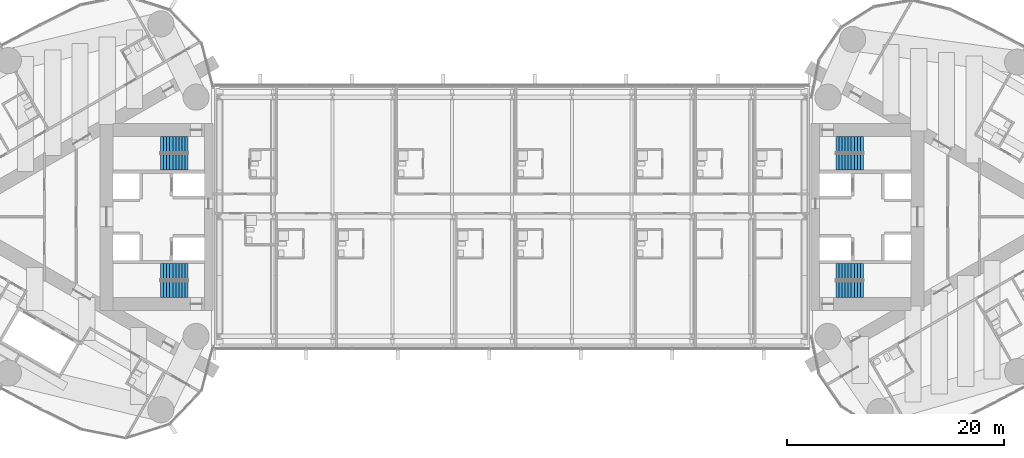
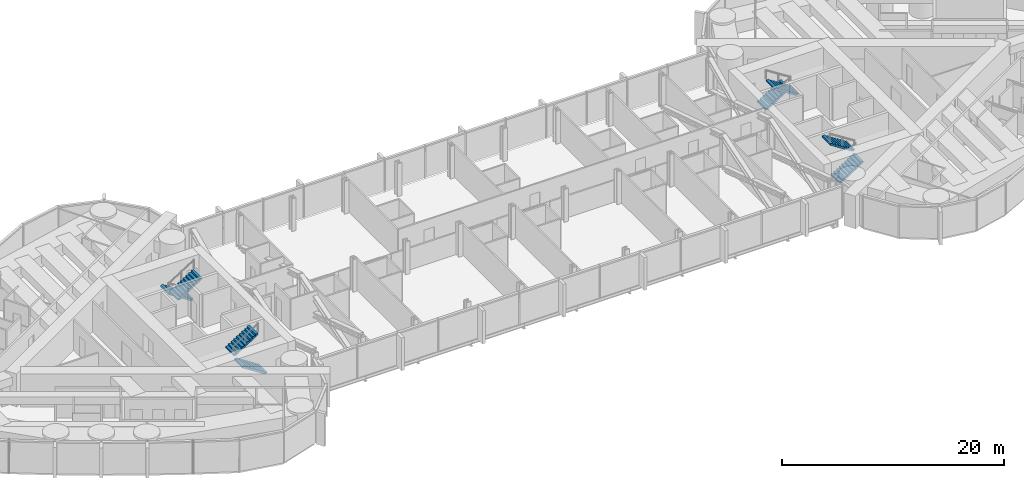
# One storey, part 21 of 23: 8 stair flights, 4 elements without a shape of their own.
"""IFC4 building model written with IfcOpenShell, lengths in metres."""

from ifc_helpers import new_model, si_unit, direction, frame, origin, place, context, subcontext, project, spatial, polyline, outline, extrude, material, type_object, element, aggregate, save


model = new_model("IFC4")

# Units and contexts
model_context = context("Model", 3, precision=1e-05, world=origin(), true_north=direction((0.0, 1.0)))
body_context = subcontext(model_context, "Body", "Model", "MODEL_VIEW")
ifc_project = project(units=[si_unit("LENGTHUNIT", "METRE"), si_unit("AREAUNIT", "SQUARE_METRE"), si_unit("VOLUMEUNIT", "CUBIC_METRE"), si_unit("PLANEANGLEUNIT", "RADIAN"), si_unit("MASSUNIT", "GRAM", prefix="KILO")], contexts=[model_context])

# Site, building, storey
site_placement = place(None, origin())
site = spatial("IfcSite", under=ifc_project, at=site_placement, CompositionType="ELEMENT")
building_placement = place(site_placement, origin())
building = spatial("IfcBuilding", under=site, at=building_placement, Name="Lancet Gate Hotel", CompositionType="ELEMENT")
storey_placement = place(building_placement, frame((0.0, 0.0, 240.5)))
storey = spatial("IfcBuildingStorey", under=building, at=storey_placement, Name="L64", CompositionType="ELEMENT", Elevation=240.5)

# Stair, stair flights
ifc_material_1 = material(Name="Exit stair 20 risers 1500")
stair_type = type_object("IfcStairType", Name="Exit stair 20 risers 1500", PredefinedType="HALF_TURN_STAIR", material=ifc_material_1)
stair_1_placement = place(storey_placement, origin())
stair_1 = element("IfcStair", 1, at=stair_1_placement, inside=storey, type_object=stair_type, Name="T1 stair 1 L64", PredefinedType="HALF_TURN_STAIR")
ifc_material_2 = material(Name="Stair flight 10 risers 180 rise 1500")
stair_flight_type = type_object("IfcStairFlightType", Name="Stair flight 10 risers 180 rise 1500", PredefinedType="STRAIGHT", material=ifc_material_2)
stair_flight_1_placement = place(storey_placement, frame((-29.800048828125, 6.64990234375, 0.0), z_axis=(0.0, 0.0, 1.0), x_axis=(-1.0, 0.0, 0.0)))
stair_flight_1 = element("IfcStairFlight", 2, at=stair_flight_1_placement, type_object=stair_flight_type, Name="ST1 flight 1", NumberOfRisers=10, NumberOfTreads=9, PredefinedType="STRAIGHT", RiserHeight=0.18, TreadLength=0.28, context=body_context, shape_type="SweptSolid", body=[
    extrude(outline(polyline([(0.0, 0.0), (0.0, 0.179931640625), (0.280029296875, 0.179931640625), (0.280029296875, 0.360107421875), (0.56005859375, 0.360107421875), (0.56005859375, 0.5400390625), (0.840087890625, 0.5400390625), (0.840087890625, 0.719970703125), (1.1201171875, 0.719970703125), (1.1201171875, 0.89990234375), (1.39990234375, 0.89990234375), (1.39990234375, 1.080078125), (1.679931640625, 1.080078125), (1.679931640625, 1.260009765625), (1.9599609375, 1.260009765625), (1.9599609375, 1.43994140625), (2.239990234375, 1.43994140625), (2.239990234375, 1.6201171875), (2.52001953125, 1.6201171875), (2.52001953125, 1.800048828125), (2.52001953125, 1.44189453125), (0.277099609375, 0.0), (0.0, 0.0)])), frame((0.0, 0.75, 0.0), z_axis=(0.0, -1.0, 0.0), x_axis=(1.0, 0.0, 0.0)), (0.0, 0.0, 1.0), 1.5),
])
stair_flight_2_placement = place(storey_placement, frame((-32.320068359375, 5.050048828125, 1.800048828125), z_axis=(0.0, 0.0, 1.0), x_axis=(1.0, 0.0, 0.0)))
stair_flight_2 = element("IfcStairFlight", 3, at=stair_flight_2_placement, type_object=stair_flight_type, Name="ST1 flight 2", NumberOfRisers=10, NumberOfTreads=9, PredefinedType="STRAIGHT", RiserHeight=0.18, TreadLength=0.28, context=body_context, shape_type="SweptSolid", body=[
    extrude(outline(polyline([(0.0, 0.0), (0.0, 0.179931640625), (0.280029296875, 0.179931640625), (0.280029296875, 0.360107421875), (0.56005859375, 0.360107421875), (0.56005859375, 0.5400390625), (0.840087890625, 0.5400390625), (0.840087890625, 0.719970703125), (1.1201171875, 0.719970703125), (1.1201171875, 0.89990234375), (1.39990234375, 0.89990234375), (1.39990234375, 1.080078125), (1.679931640625, 1.080078125), (1.679931640625, 1.260009765625), (1.9599609375, 1.260009765625), (1.9599609375, 1.43994140625), (2.239990234375, 1.43994140625), (2.239990234375, 1.6201171875), (2.52001953125, 1.6201171875), (2.52001953125, 1.800048828125), (2.52001953125, 1.44189453125), (0.277099609375, 0.0), (0.0, 0.0)])), frame((0.0, 0.75, 0.0), z_axis=(0.0, -1.0, 0.0), x_axis=(1.0, 0.0, 0.0)), (0.0, 0.0, 1.0), 1.5),
])
aggregate(stair_1, [stair_flight_1, stair_flight_2])

stair_2_placement = place(storey_placement, origin())
stair_2 = element("IfcStair", 4, at=stair_2_placement, inside=storey, type_object=stair_type, Name="T1 stair 2 L64", PredefinedType="HALF_TURN_STAIR")
stair_flight_3_placement = place(storey_placement, frame((-29.800048828125, -6.64990234375, 0.0), z_axis=(0.0, 0.0, 1.0), x_axis=(-1.0, 0.0, 0.0)))
stair_flight_3 = element("IfcStairFlight", 5, at=stair_flight_3_placement, type_object=stair_flight_type, Name="ST2 flight 1", NumberOfRisers=10, NumberOfTreads=9, PredefinedType="STRAIGHT", RiserHeight=0.18, TreadLength=0.28, context=body_context, shape_type="SweptSolid", body=[
    extrude(outline(polyline([(0.0, 0.0), (0.0, 0.179931640625), (0.280029296875, 0.179931640625), (0.280029296875, 0.360107421875), (0.56005859375, 0.360107421875), (0.56005859375, 0.5400390625), (0.840087890625, 0.5400390625), (0.840087890625, 0.719970703125), (1.1201171875, 0.719970703125), (1.1201171875, 0.89990234375), (1.39990234375, 0.89990234375), (1.39990234375, 1.080078125), (1.679931640625, 1.080078125), (1.679931640625, 1.260009765625), (1.9599609375, 1.260009765625), (1.9599609375, 1.43994140625), (2.239990234375, 1.43994140625), (2.239990234375, 1.6201171875), (2.52001953125, 1.6201171875), (2.52001953125, 1.800048828125), (2.52001953125, 1.44189453125), (0.277099609375, 0.0), (0.0, 0.0)])), frame((0.0, 0.75, 0.0), z_axis=(0.0, -1.0, 0.0), x_axis=(1.0, 0.0, 0.0)), (0.0, 0.0, 1.0), 1.5),
])
stair_flight_4_placement = place(storey_placement, frame((-32.320068359375, -5.050048828125, 1.800048828125), z_axis=(0.0, 0.0, 1.0), x_axis=(1.0, 0.0, 0.0)))
stair_flight_4 = element("IfcStairFlight", 6, at=stair_flight_4_placement, type_object=stair_flight_type, Name="ST2 flight 2", NumberOfRisers=10, NumberOfTreads=9, PredefinedType="STRAIGHT", RiserHeight=0.18, TreadLength=0.28, context=body_context, shape_type="SweptSolid", body=[
    extrude(outline(polyline([(0.0, 0.0), (0.0, 0.179931640625), (0.280029296875, 0.179931640625), (0.280029296875, 0.360107421875), (0.56005859375, 0.360107421875), (0.56005859375, 0.5400390625), (0.840087890625, 0.5400390625), (0.840087890625, 0.719970703125), (1.1201171875, 0.719970703125), (1.1201171875, 0.89990234375), (1.39990234375, 0.89990234375), (1.39990234375, 1.080078125), (1.679931640625, 1.080078125), (1.679931640625, 1.260009765625), (1.9599609375, 1.260009765625), (1.9599609375, 1.43994140625), (2.239990234375, 1.43994140625), (2.239990234375, 1.6201171875), (2.52001953125, 1.6201171875), (2.52001953125, 1.800048828125), (2.52001953125, 1.44189453125), (0.277099609375, 0.0), (0.0, 0.0)])), frame((0.0, 0.75, 0.0), z_axis=(0.0, -1.0, 0.0), x_axis=(1.0, 0.0, 0.0)), (0.0, 0.0, 1.0), 1.5),
])
aggregate(stair_2, [stair_flight_3, stair_flight_4])

stair_3_placement = place(storey_placement, origin())
stair_3 = element("IfcStair", 7, at=stair_3_placement, inside=storey, type_object=stair_type, Name="T2 stair 1 L64", PredefinedType="HALF_TURN_STAIR")
stair_flight_5_placement = place(storey_placement, frame((29.800048828125, -6.64990234375, 0.0), z_axis=(0.0, 0.0, 1.0), x_axis=(1.0, 0.0, 0.0)))
stair_flight_5 = element("IfcStairFlight", 8, at=stair_flight_5_placement, type_object=stair_flight_type, Name="ST3 flight 1", NumberOfRisers=10, NumberOfTreads=9, PredefinedType="STRAIGHT", RiserHeight=0.18, TreadLength=0.28, context=body_context, shape_type="SweptSolid", body=[
    extrude(outline(polyline([(0.0, 0.0), (0.0, 0.179931640625), (0.280029296875, 0.179931640625), (0.280029296875, 0.360107421875), (0.56005859375, 0.360107421875), (0.56005859375, 0.5400390625), (0.840087890625, 0.5400390625), (0.840087890625, 0.719970703125), (1.1201171875, 0.719970703125), (1.1201171875, 0.89990234375), (1.39990234375, 0.89990234375), (1.39990234375, 1.080078125), (1.679931640625, 1.080078125), (1.679931640625, 1.260009765625), (1.9599609375, 1.260009765625), (1.9599609375, 1.43994140625), (2.239990234375, 1.43994140625), (2.239990234375, 1.6201171875), (2.52001953125, 1.6201171875), (2.52001953125, 1.800048828125), (2.52001953125, 1.44189453125), (0.277099609375, 0.0), (0.0, 0.0)])), frame((0.0, 0.75, 0.0), z_axis=(0.0, -1.0, 0.0), x_axis=(1.0, 0.0, 0.0)), (0.0, 0.0, 1.0), 1.5),
])
stair_flight_6_placement = place(storey_placement, frame((32.320068359375, -5.050048828125, 1.800048828125), z_axis=(0.0, 0.0, 1.0), x_axis=(-1.0, 0.0, 0.0)))
stair_flight_6 = element("IfcStairFlight", 9, at=stair_flight_6_placement, type_object=stair_flight_type, Name="ST3 flight 2", NumberOfRisers=10, NumberOfTreads=9, PredefinedType="STRAIGHT", RiserHeight=0.18, TreadLength=0.28, context=body_context, shape_type="SweptSolid", body=[
    extrude(outline(polyline([(0.0, 0.0), (0.0, 0.179931640625), (0.280029296875, 0.179931640625), (0.280029296875, 0.360107421875), (0.56005859375, 0.360107421875), (0.56005859375, 0.5400390625), (0.840087890625, 0.5400390625), (0.840087890625, 0.719970703125), (1.1201171875, 0.719970703125), (1.1201171875, 0.89990234375), (1.39990234375, 0.89990234375), (1.39990234375, 1.080078125), (1.679931640625, 1.080078125), (1.679931640625, 1.260009765625), (1.9599609375, 1.260009765625), (1.9599609375, 1.43994140625), (2.239990234375, 1.43994140625), (2.239990234375, 1.6201171875), (2.52001953125, 1.6201171875), (2.52001953125, 1.800048828125), (2.52001953125, 1.44189453125), (0.277099609375, 0.0), (0.0, 0.0)])), frame((0.0, 0.75, 0.0), z_axis=(0.0, -1.0, 0.0), x_axis=(1.0, 0.0, 0.0)), (0.0, 0.0, 1.0), 1.5),
])
aggregate(stair_3, [stair_flight_5, stair_flight_6])

stair_4_placement = place(storey_placement, origin())
stair_4 = element("IfcStair", 10, at=stair_4_placement, inside=storey, type_object=stair_type, Name="T2 stair 2 L64", PredefinedType="HALF_TURN_STAIR")
stair_flight_7_placement = place(storey_placement, frame((29.800048828125, 6.64990234375, 0.0), z_axis=(0.0, 0.0, 1.0), x_axis=(1.0, 0.0, 0.0)))
stair_flight_7 = element("IfcStairFlight", 11, at=stair_flight_7_placement, type_object=stair_flight_type, Name="ST4 flight 1", NumberOfRisers=10, NumberOfTreads=9, PredefinedType="STRAIGHT", RiserHeight=0.18, TreadLength=0.28, context=body_context, shape_type="SweptSolid", body=[
    extrude(outline(polyline([(0.0, 0.0), (0.0, 0.179931640625), (0.280029296875, 0.179931640625), (0.280029296875, 0.360107421875), (0.56005859375, 0.360107421875), (0.56005859375, 0.5400390625), (0.840087890625, 0.5400390625), (0.840087890625, 0.719970703125), (1.1201171875, 0.719970703125), (1.1201171875, 0.89990234375), (1.39990234375, 0.89990234375), (1.39990234375, 1.080078125), (1.679931640625, 1.080078125), (1.679931640625, 1.260009765625), (1.9599609375, 1.260009765625), (1.9599609375, 1.43994140625), (2.239990234375, 1.43994140625), (2.239990234375, 1.6201171875), (2.52001953125, 1.6201171875), (2.52001953125, 1.800048828125), (2.52001953125, 1.44189453125), (0.277099609375, 0.0), (0.0, 0.0)])), frame((0.0, 0.75, 0.0), z_axis=(0.0, -1.0, 0.0), x_axis=(1.0, 0.0, 0.0)), (0.0, 0.0, 1.0), 1.5),
])
stair_flight_8_placement = place(storey_placement, frame((32.320068359375, 5.050048828125, 1.800048828125), z_axis=(0.0, 0.0, 1.0), x_axis=(-1.0, 0.0, 0.0)))
stair_flight_8 = element("IfcStairFlight", 12, at=stair_flight_8_placement, type_object=stair_flight_type, Name="ST4 flight 2", NumberOfRisers=10, NumberOfTreads=9, PredefinedType="STRAIGHT", RiserHeight=0.18, TreadLength=0.28, context=body_context, shape_type="SweptSolid", body=[
    extrude(outline(polyline([(0.0, 0.0), (0.0, 0.179931640625), (0.280029296875, 0.179931640625), (0.280029296875, 0.360107421875), (0.56005859375, 0.360107421875), (0.56005859375, 0.5400390625), (0.840087890625, 0.5400390625), (0.840087890625, 0.719970703125), (1.1201171875, 0.719970703125), (1.1201171875, 0.89990234375), (1.39990234375, 0.89990234375), (1.39990234375, 1.080078125), (1.679931640625, 1.080078125), (1.679931640625, 1.260009765625), (1.9599609375, 1.260009765625), (1.9599609375, 1.43994140625), (2.239990234375, 1.43994140625), (2.239990234375, 1.6201171875), (2.52001953125, 1.6201171875), (2.52001953125, 1.800048828125), (2.52001953125, 1.44189453125), (0.277099609375, 0.0), (0.0, 0.0)])), frame((0.0, 0.75, 0.0), z_axis=(0.0, -1.0, 0.0), x_axis=(1.0, 0.0, 0.0)), (0.0, 0.0, 1.0), 1.5),
])
aggregate(stair_4, [stair_flight_7, stair_flight_8])

save(model, "model.ifc")
